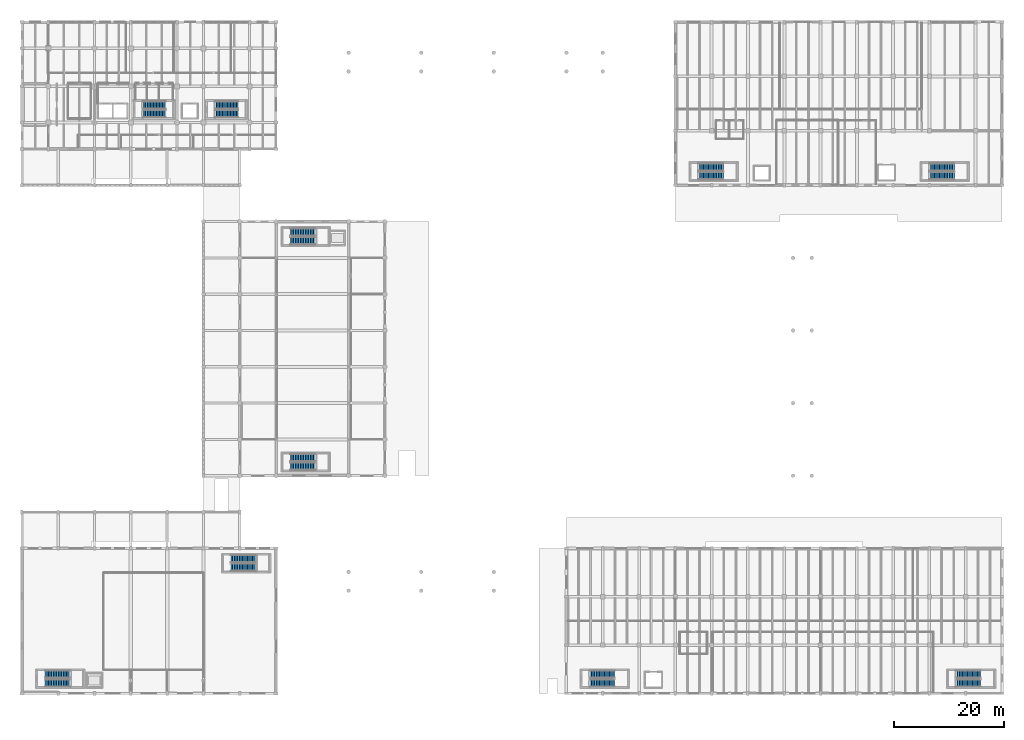
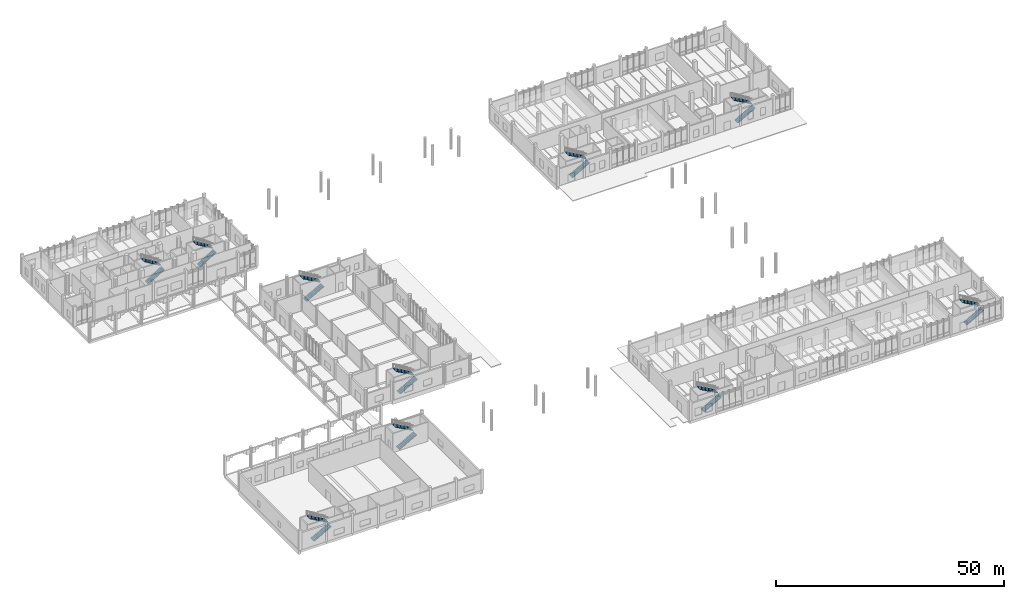
# One storey, part 56 of 72: 20 stair flights, 10 elements without a shape of their own.
"""IFC4 building model written with IfcOpenShell, lengths in metres."""

import ifcopenshell
import ifcopenshell.guid

model = None  # the IFC model being written
_history = None  # IfcOwnerHistory: only IFC2X3 demands one
_inside = {}  # id of a spatial element -> (the spatial element, [elements in it])
_under = {}  # id of a project, library or spatial element -> (it, [spatial elements below it])
_declared = {}  # id of a project -> (the project, [libraries it declares])
_typed = {}  # id of a type object -> (the type object, [elements of that type])
_made_of = {}  # id of a material, layer set ... -> (it, [elements and type objects made of it])


def new_model(schema):
    """Start an empty IFC model of exactly this schema.

    Asked for "IFC4X3", IfcOpenShell would pick the latest addendum, in which some entities
    have other attributes; the version numbers below select the first issue.
    IFC2X3 requires an IfcOwnerHistory on every rooted entity: one is made here for all.
    """
    global model, _history
    if schema == "IFC4X3":
        model = ifcopenshell.file(schema_version=(4, 3, 0, 0))
    else:
        model = ifcopenshell.file(schema=schema)
    _inside.clear()
    _under.clear()
    _declared.clear()
    _typed.clear()
    _made_of.clear()
    _history = None
    if model.schema == "IFC2X3":
        org = make("IfcOrganization", Name="unknown")
        user = make(
            "IfcPersonAndOrganization",
            ThePerson=make("IfcPerson", FamilyName="unknown"),
            TheOrganization=org,
        )
        app = make(
            "IfcApplication",
            ApplicationDeveloper=org,
            Version="unknown",
            ApplicationFullName="unknown",
            ApplicationIdentifier="unknown",
        )
        _history = make(
            "IfcOwnerHistory",
            OwningUser=user,
            OwningApplication=app,
            ChangeAction="ADDED",
            CreationDate=0,
        )
    return model


def make(cls, **values):
    """One entity of the class cls with the attributes given. An attribute that is None is left unset."""
    return model.create_entity(
        cls, **{name: value for name, value in values.items() if value is not None}
    )


def rooted(cls, **values):
    """An entity with a GlobalId (a new one), such as an element, a storey or a relation."""
    return make(cls, GlobalId=ifcopenshell.guid.new(), OwnerHistory=_history, **values)


def si_unit(unit_type, name, prefix=None):
    """IfcSIUnit, for example si_unit("LENGTHUNIT", "METRE", prefix="MILLI")."""
    return make("IfcSIUnit", UnitType=unit_type, Prefix=prefix, Name=name)


def assignment(units):
    """IfcUnitAssignment: the units of a project."""
    return None if units is None else make("IfcUnitAssignment", Units=units)


def point(xyz):
    """IfcCartesianPoint."""
    return None if xyz is None else make("IfcCartesianPoint", Coordinates=xyz)


def direction(xyz):
    """IfcDirection."""
    return None if xyz is None else make("IfcDirection", DirectionRatios=xyz)


def frame(location, z_axis=None, x_axis=None):
    """IfcAxis2Placement3D, a coordinate frame: its origin and axes. An axis left out is left unset."""
    return make(
        "IfcAxis2Placement3D",
        Location=point(location),
        Axis=direction(z_axis),
        RefDirection=direction(x_axis),
    )


def origin():
    """The frame at (0, 0, 0) with its axes left unset."""
    return frame((0.0, 0.0, 0.0))


def place(relative_to, where):
    """IfcLocalPlacement: puts the frame where relative to a parent placement (None: the world)."""
    return make(
        "IfcLocalPlacement", PlacementRelTo=relative_to, RelativePlacement=where
    )


def context(
    kind, dimensions, precision=None, world=None, true_north=None, identifier=None
):
    """IfcGeometricRepresentationContext, for example the 3D "Model" context."""
    return make(
        "IfcGeometricRepresentationContext",
        ContextIdentifier=identifier,
        ContextType=kind,
        CoordinateSpaceDimension=dimensions,
        Precision=precision,
        WorldCoordinateSystem=world,
        TrueNorth=true_north,
    )


def subcontext(parent, identifier, kind, view, scale=None):
    """IfcGeometricRepresentationSubContext, for example "Body" below "Model"."""
    return make(
        "IfcGeometricRepresentationSubContext",
        ContextIdentifier=identifier,
        ContextType=kind,
        ParentContext=parent,
        TargetScale=scale,
        TargetView=view,
    )


def project(units=None, contexts=None):
    """IfcProject with its units and contexts."""
    return rooted(
        "IfcProject",
        Name="project",
        RepresentationContexts=contexts,
        UnitsInContext=assignment(units),
    )


def spatial(cls, under=None, at=None, **own):
    """A site, building, storey or space (cls), placed at a placement, below another one or the project."""
    s = rooted(cls, ObjectPlacement=at, **own)
    if under is not None:
        _under.setdefault(under.id(), (under, []))[1].append(s)
    return s


def polyline(points):
    """IfcPolyline through the points."""
    return make("IfcPolyline", Points=[point(p) for p in points])


def outline(outer, holes=None, kind="AREA"):
    """IfcArbitraryClosedProfileDef: a profile drawn as a closed curve; with holes, ...WithVoids."""
    if holes is None:
        return make("IfcArbitraryClosedProfileDef", ProfileType=kind, OuterCurve=outer)
    return make(
        "IfcArbitraryProfileDefWithVoids",
        ProfileType=kind,
        OuterCurve=outer,
        InnerCurves=holes,
    )


def extrude(swept, where, along, depth):
    """IfcExtrudedAreaSolid: the profile swept, set in the frame where, extruded along a direction by depth."""
    return make(
        "IfcExtrudedAreaSolid",
        SweptArea=swept,
        Position=where,
        ExtrudedDirection=direction(along),
        Depth=depth,
    )


def shape(context_of_items, identifier, shape_type, items):
    """IfcShapeRepresentation: the items that make up one representation, for example the "Body"."""
    return make(
        "IfcShapeRepresentation",
        ContextOfItems=context_of_items,
        RepresentationIdentifier=identifier,
        RepresentationType=shape_type,
        Items=items,
    )


def material(Name=None, Category=None):
    """IfcMaterial."""
    return make("IfcMaterial", Name=Name, Category=Category)


def made_of(thing, what):
    """Note that an element or type object is made of a material, layer set ...; save() writes the relation."""
    if what is not None:
        _made_of.setdefault(what.id(), (what, []))[1].append(thing)
    return thing


def type_object(cls, material=None, **own):
    """A type object (cls), such as IfcWallType, which elements share."""
    return made_of(rooted(cls, **own), material)


def element(
    cls,
    number,
    at=None,
    inside=None,
    cuts=None,
    type_object=None,
    material=None,
    context=None,
    identifier="Body",
    shape_type=None,
    held_by="IfcProductDefinitionShape",
    body=None,
    shapes=None,
    **own,
):
    """One element of the class cls, such as IfcWall. Its Tag is "e" and its number.

    at: its placement. inside: the storey or other place that contains it. cuts: it is an
    opening in that element (IfcRelVoidsElement). A single representation is given by context,
    identifier, shape_type and body (its items); several are given by shapes. held_by: the class
    of the entity that holds the representations. save() writes the other relations.
    """
    e = rooted(cls, Tag="e%d" % number, ObjectPlacement=at, **own)
    if body is not None:
        shapes = [shape(context, identifier, shape_type, body)]
    if shapes is not None:
        e.Representation = make(held_by, Representations=shapes)
    if inside is not None:
        _inside.setdefault(inside.id(), (inside, []))[1].append(e)
    if cuts is not None:
        rooted(
            "IfcRelVoidsElement", RelatingBuildingElement=cuts, RelatedOpeningElement=e
        )
    if type_object is not None:
        _typed.setdefault(type_object.id(), (type_object, []))[1].append(e)
    return made_of(e, material)


def aggregate(whole, parts):
    """IfcRelAggregates: a whole, such as a stair, and the parts it consists of."""
    return rooted("IfcRelAggregates", RelatingObject=whole, RelatedObjects=parts)


def save(model, path):
    """Write the relations noted so far, then the file.

    IfcRelAggregates (storeys below a building ...), IfcRelContainedInSpatialStructure (elements
    in a storey), IfcRelDefinesByType, IfcRelAssociatesMaterial and IfcRelDeclares: one each for
    every whole, place, type object, material and project.
    """
    for whole, parts in _under.values():
        aggregate(whole, parts)
    for where, things in _inside.values():
        rooted(
            "IfcRelContainedInSpatialStructure",
            RelatedElements=things,
            RelatingStructure=where,
        )
    for kind, things in _typed.values():
        rooted("IfcRelDefinesByType", RelatedObjects=things, RelatingType=kind)
    for what, things in _made_of.values():
        rooted("IfcRelAssociatesMaterial", RelatedObjects=things, RelatingMaterial=what)
    for by, libraries in _declared.values():
        rooted("IfcRelDeclares", RelatingContext=by, RelatedDefinitions=libraries)
    model.write(path)


model = new_model("IFC4")

# Units and contexts
model_context = context("Model", 3, precision=1e-05, world=origin(), true_north=direction((0.0, 1.0)))
body_context = subcontext(model_context, "Body", "Model", "MODEL_VIEW")
ifc_project = project(units=[si_unit("LENGTHUNIT", "METRE"), si_unit("AREAUNIT", "SQUARE_METRE"), si_unit("VOLUMEUNIT", "CUBIC_METRE"), si_unit("PLANEANGLEUNIT", "RADIAN"), si_unit("MASSUNIT", "GRAM", prefix="KILO")], contexts=[model_context])

# Site, building, storey
site_placement = place(None, origin())
site = spatial("IfcSite", under=ifc_project, at=site_placement, CompositionType="ELEMENT")
building_placement = place(site_placement, origin())
building = spatial("IfcBuilding", under=site, at=building_placement, Name="Dornvale Research Institute", CompositionType="ELEMENT")
storey_placement = place(building_placement, origin())
storey = spatial("IfcBuildingStorey", under=building, at=storey_placement, Name="L00", CompositionType="ELEMENT", Elevation=0.0)

# Stair, stair flights
ifc_material_1 = material(Name="Concrete f'c 45 MPa (C35/45)", Category="concrete")
stair_type_1 = type_object("IfcStairType", Name="HalfTurnStair_RC", PredefinedType="HALF_TURN_STAIR", material=ifc_material_1)
stair_1_placement = place(storey_placement, origin())
stair_1 = element("IfcStair", 1, at=stair_1_placement, inside=storey, type_object=stair_type_1, Name="L00 Exit stair ST-1", PredefinedType="HALF_TURN_STAIR")
ifc_material_2 = material(Name="Concrete f'c 45 MPa (C35/45)", Category="concrete")
stair_flight_type_1 = type_object("IfcStairFlightType", Name="StraightFlight_RC150", PredefinedType="STRAIGHT", material=ifc_material_2)
stair_flight_1_placement = place(storey_placement, frame((21.949951171875, 105.39990234375, 0.0), z_axis=(0.0, 0.0, 1.0), x_axis=(1.0, 0.0, 0.0)))
stair_flight_1 = element("IfcStairFlight", 2, at=stair_flight_1_placement, type_object=stair_flight_type_1, Name="ST-1 flight 1", NumberOfRisers=16, NumberOfTreads=15, PredefinedType="STRAIGHT", RiserHeight=0.16875, TreadLength=0.28, context=body_context, shape_type="SweptSolid", body=[
    extrude(outline(polyline([(0.0, 0.0), (0.0, 0.168701171875), (0.280029296875, 0.168701171875), (0.280029296875, 0.33740234375), (0.56005859375, 0.33740234375), (0.56005859375, 0.50634765625), (0.840087890625, 0.50634765625), (0.840087890625, 0.675048828125), (1.1201171875, 0.675048828125), (1.1201171875, 0.84375), (1.39990234375, 0.84375), (1.39990234375, 1.012451171875), (1.679931640625, 1.012451171875), (1.679931640625, 1.18115234375), (1.9599609375, 1.18115234375), (1.9599609375, 1.35009765625), (2.239990234375, 1.35009765625), (2.239990234375, 1.518798828125), (2.52001953125, 1.518798828125), (2.52001953125, 1.6875), (2.800048828125, 1.6875), (2.800048828125, 1.856201171875), (3.080078125, 1.856201171875), (3.080078125, 2.02490234375), (3.360107421875, 2.02490234375), (3.360107421875, 2.19384765625), (3.639892578125, 2.19384765625), (3.639892578125, 2.362548828125), (3.919921875, 2.362548828125), (3.919921875, 2.53125), (4.199951171875, 2.53125), (4.199951171875, 2.699951171875), (4.199951171875, 2.356201171875), (0.29052734375, 0.0), (0.0, 0.0)])), frame((0.0, 0.699951171875, 0.0), z_axis=(0.0, -1.0, 0.0), x_axis=(1.0, 0.0, 0.0)), (0.0, 0.0, 1.0), 1.39990234375),
])
stair_flight_2_placement = place(storey_placement, frame((26.14990234375, 106.9599609375, 2.699951171875), z_axis=(0.0, 0.0, 1.0), x_axis=(-1.0, 0.0, 0.0)))
stair_flight_2 = element("IfcStairFlight", 3, at=stair_flight_2_placement, type_object=stair_flight_type_1, Name="ST-1 flight 2", NumberOfRisers=16, NumberOfTreads=15, PredefinedType="STRAIGHT", RiserHeight=0.16875, TreadLength=0.28, context=body_context, shape_type="SweptSolid", body=[
    extrude(outline(polyline([(0.0, 0.0), (0.0, 0.168701171875), (0.280029296875, 0.168701171875), (0.280029296875, 0.33740234375), (0.56005859375, 0.33740234375), (0.56005859375, 0.50634765625), (0.840087890625, 0.50634765625), (0.840087890625, 0.675048828125), (1.1201171875, 0.675048828125), (1.1201171875, 0.84375), (1.39990234375, 0.84375), (1.39990234375, 1.012451171875), (1.679931640625, 1.012451171875), (1.679931640625, 1.18115234375), (1.9599609375, 1.18115234375), (1.9599609375, 1.35009765625), (2.239990234375, 1.35009765625), (2.239990234375, 1.518798828125), (2.52001953125, 1.518798828125), (2.52001953125, 1.6875), (2.800048828125, 1.6875), (2.800048828125, 1.856201171875), (3.080078125, 1.856201171875), (3.080078125, 2.02490234375), (3.360107421875, 2.02490234375), (3.360107421875, 2.19384765625), (3.639892578125, 2.19384765625), (3.639892578125, 2.362548828125), (3.919921875, 2.362548828125), (3.919921875, 2.53125), (4.199951171875, 2.53125), (4.199951171875, 2.699951171875), (4.199951171875, 2.356201171875), (0.29052734375, 0.0), (0.0, 0.0)])), frame((0.0, 0.699951171875, 0.0), z_axis=(0.0, -1.0, 0.0), x_axis=(1.0, 0.0, 0.0)), (0.0, 0.0, 1.0), 1.39990234375),
])
aggregate(stair_1, [stair_flight_1, stair_flight_2])

stair_2_placement = place(storey_placement, origin())
stair_2 = element("IfcStair", 4, at=stair_2_placement, inside=storey, type_object=stair_type_1, Name="L00 Exit stair ST-2", PredefinedType="HALF_TURN_STAIR")
stair_flight_3_placement = place(storey_placement, frame((35.10009765625, 105.39990234375, 0.0), z_axis=(0.0, 0.0, 1.0), x_axis=(1.0, 0.0, 0.0)))
stair_flight_3 = element("IfcStairFlight", 5, at=stair_flight_3_placement, type_object=stair_flight_type_1, Name="ST-2 flight 1", NumberOfRisers=16, NumberOfTreads=15, PredefinedType="STRAIGHT", RiserHeight=0.16875, TreadLength=0.28, context=body_context, shape_type="SweptSolid", body=[
    extrude(outline(polyline([(0.0, 0.0), (0.0, 0.168701171875), (0.280029296875, 0.168701171875), (0.280029296875, 0.33740234375), (0.56005859375, 0.33740234375), (0.56005859375, 0.50634765625), (0.840087890625, 0.50634765625), (0.840087890625, 0.675048828125), (1.1201171875, 0.675048828125), (1.1201171875, 0.84375), (1.39990234375, 0.84375), (1.39990234375, 1.012451171875), (1.679931640625, 1.012451171875), (1.679931640625, 1.18115234375), (1.9599609375, 1.18115234375), (1.9599609375, 1.35009765625), (2.239990234375, 1.35009765625), (2.239990234375, 1.518798828125), (2.52001953125, 1.518798828125), (2.52001953125, 1.6875), (2.800048828125, 1.6875), (2.800048828125, 1.856201171875), (3.080078125, 1.856201171875), (3.080078125, 2.02490234375), (3.360107421875, 2.02490234375), (3.360107421875, 2.19384765625), (3.639892578125, 2.19384765625), (3.639892578125, 2.362548828125), (3.919921875, 2.362548828125), (3.919921875, 2.53125), (4.199951171875, 2.53125), (4.199951171875, 2.699951171875), (4.199951171875, 2.356201171875), (0.29052734375, 0.0), (0.0, 0.0)])), frame((0.0, 0.699951171875, 0.0), z_axis=(0.0, -1.0, 0.0), x_axis=(1.0, 0.0, 0.0)), (0.0, 0.0, 1.0), 1.39990234375),
])
stair_flight_4_placement = place(storey_placement, frame((39.300048828125, 106.9599609375, 2.699951171875), z_axis=(0.0, 0.0, 1.0), x_axis=(-1.0, 0.0, 0.0)))
stair_flight_4 = element("IfcStairFlight", 6, at=stair_flight_4_placement, type_object=stair_flight_type_1, Name="ST-2 flight 2", NumberOfRisers=16, NumberOfTreads=15, PredefinedType="STRAIGHT", RiserHeight=0.16875, TreadLength=0.28, context=body_context, shape_type="SweptSolid", body=[
    extrude(outline(polyline([(0.0, 0.0), (0.0, 0.168701171875), (0.280029296875, 0.168701171875), (0.280029296875, 0.33740234375), (0.56005859375, 0.33740234375), (0.56005859375, 0.50634765625), (0.840087890625, 0.50634765625), (0.840087890625, 0.675048828125), (1.1201171875, 0.675048828125), (1.1201171875, 0.84375), (1.39990234375, 0.84375), (1.39990234375, 1.012451171875), (1.679931640625, 1.012451171875), (1.679931640625, 1.18115234375), (1.9599609375, 1.18115234375), (1.9599609375, 1.35009765625), (2.239990234375, 1.35009765625), (2.239990234375, 1.518798828125), (2.52001953125, 1.518798828125), (2.52001953125, 1.6875), (2.800048828125, 1.6875), (2.800048828125, 1.856201171875), (3.080078125, 1.856201171875), (3.080078125, 2.02490234375), (3.360107421875, 2.02490234375), (3.360107421875, 2.19384765625), (3.639892578125, 2.19384765625), (3.639892578125, 2.362548828125), (3.919921875, 2.362548828125), (3.919921875, 2.53125), (4.199951171875, 2.53125), (4.199951171875, 2.699951171875), (4.199951171875, 2.356201171875), (0.29052734375, 0.0), (0.0, 0.0)])), frame((0.0, 0.699951171875, 0.0), z_axis=(0.0, -1.0, 0.0), x_axis=(1.0, 0.0, 0.0)), (0.0, 0.0, 1.0), 1.39990234375),
])
aggregate(stair_2, [stair_flight_3, stair_flight_4])

stair_3_placement = place(storey_placement, origin())
stair_3 = element("IfcStair", 7, at=stair_3_placement, inside=storey, type_object=stair_type_1, Name="L00 Exit stair ST-3", PredefinedType="HALF_TURN_STAIR")
stair_flight_5_placement = place(storey_placement, frame((123.02001953125, 94.110107421875, 0.0), z_axis=(0.0, 0.0, 1.0), x_axis=(1.0, 0.0, 0.0)))
stair_flight_5 = element("IfcStairFlight", 8, at=stair_flight_5_placement, type_object=stair_flight_type_1, Name="ST-3 flight 1", NumberOfRisers=16, NumberOfTreads=15, PredefinedType="STRAIGHT", RiserHeight=0.16875, TreadLength=0.3, context=body_context, shape_type="SweptSolid", body=[
    extrude(outline(polyline([(0.0, 0.0), (0.0, 0.168701171875), (0.300048828125, 0.168701171875), (0.300048828125, 0.33740234375), (0.60009765625, 0.33740234375), (0.60009765625, 0.50634765625), (0.89990234375, 0.50634765625), (0.89990234375, 0.675048828125), (1.199951171875, 0.675048828125), (1.199951171875, 0.84375), (1.5, 0.84375), (1.5, 1.012451171875), (1.800048828125, 1.012451171875), (1.800048828125, 1.18115234375), (2.10009765625, 1.18115234375), (2.10009765625, 1.35009765625), (2.39990234375, 1.35009765625), (2.39990234375, 1.518798828125), (2.699951171875, 1.518798828125), (2.699951171875, 1.6875), (3.0, 1.6875), (3.0, 1.856201171875), (3.300048828125, 1.856201171875), (3.300048828125, 2.02490234375), (3.60009765625, 2.02490234375), (3.60009765625, 2.19384765625), (3.89990234375, 2.19384765625), (3.89990234375, 2.362548828125), (4.199951171875, 2.362548828125), (4.199951171875, 2.53125), (4.5, 2.53125), (4.5, 2.699951171875), (4.5, 2.359375), (0.3056640625, 0.0), (0.0, 0.0)])), frame((0.0, 0.7099609375, 0.0), z_axis=(0.0, -1.0, 0.0), x_axis=(1.0, 0.0, 0.0)), (0.0, 0.0, 1.0), 1.419921875),
])
stair_flight_6_placement = place(storey_placement, frame((127.52001953125, 95.68994140625, 2.699951171875), z_axis=(0.0, 0.0, 1.0), x_axis=(-1.0, 0.0, 0.0)))
stair_flight_6 = element("IfcStairFlight", 9, at=stair_flight_6_placement, type_object=stair_flight_type_1, Name="ST-3 flight 2", NumberOfRisers=16, NumberOfTreads=15, PredefinedType="STRAIGHT", RiserHeight=0.16875, TreadLength=0.3, context=body_context, shape_type="SweptSolid", body=[
    extrude(outline(polyline([(0.0, 0.0), (0.0, 0.168701171875), (0.300048828125, 0.168701171875), (0.300048828125, 0.33740234375), (0.60009765625, 0.33740234375), (0.60009765625, 0.50634765625), (0.89990234375, 0.50634765625), (0.89990234375, 0.675048828125), (1.199951171875, 0.675048828125), (1.199951171875, 0.84375), (1.5, 0.84375), (1.5, 1.012451171875), (1.800048828125, 1.012451171875), (1.800048828125, 1.18115234375), (2.10009765625, 1.18115234375), (2.10009765625, 1.35009765625), (2.39990234375, 1.35009765625), (2.39990234375, 1.518798828125), (2.699951171875, 1.518798828125), (2.699951171875, 1.6875), (3.0, 1.6875), (3.0, 1.856201171875), (3.300048828125, 1.856201171875), (3.300048828125, 2.02490234375), (3.60009765625, 2.02490234375), (3.60009765625, 2.19384765625), (3.89990234375, 2.19384765625), (3.89990234375, 2.362548828125), (4.199951171875, 2.362548828125), (4.199951171875, 2.53125), (4.5, 2.53125), (4.5, 2.699951171875), (4.5, 2.359375), (0.3056640625, 0.0), (0.0, 0.0)])), frame((0.0, 0.7099609375, 0.0), z_axis=(0.0, -1.0, 0.0), x_axis=(1.0, 0.0, 0.0)), (0.0, 0.0, 1.0), 1.419921875),
])
aggregate(stair_3, [stair_flight_5, stair_flight_6])

stair_4_placement = place(storey_placement, origin())
stair_4 = element("IfcStair", 10, at=stair_4_placement, inside=storey, type_object=stair_type_1, Name="L00 Exit stair ST-4", PredefinedType="HALF_TURN_STAIR")
stair_flight_7_placement = place(storey_placement, frame((165.02001953125, 94.110107421875, 0.0), z_axis=(0.0, 0.0, 1.0), x_axis=(1.0, 0.0, 0.0)))
stair_flight_7 = element("IfcStairFlight", 11, at=stair_flight_7_placement, type_object=stair_flight_type_1, Name="ST-4 flight 1", NumberOfRisers=16, NumberOfTreads=15, PredefinedType="STRAIGHT", RiserHeight=0.16875, TreadLength=0.3, context=body_context, shape_type="SweptSolid", body=[
    extrude(outline(polyline([(0.0, 0.0), (0.0, 0.168701171875), (0.300048828125, 0.168701171875), (0.300048828125, 0.33740234375), (0.60009765625, 0.33740234375), (0.60009765625, 0.50634765625), (0.89990234375, 0.50634765625), (0.89990234375, 0.675048828125), (1.199951171875, 0.675048828125), (1.199951171875, 0.84375), (1.5, 0.84375), (1.5, 1.012451171875), (1.800048828125, 1.012451171875), (1.800048828125, 1.18115234375), (2.10009765625, 1.18115234375), (2.10009765625, 1.35009765625), (2.39990234375, 1.35009765625), (2.39990234375, 1.518798828125), (2.699951171875, 1.518798828125), (2.699951171875, 1.6875), (3.0, 1.6875), (3.0, 1.856201171875), (3.300048828125, 1.856201171875), (3.300048828125, 2.02490234375), (3.60009765625, 2.02490234375), (3.60009765625, 2.19384765625), (3.89990234375, 2.19384765625), (3.89990234375, 2.362548828125), (4.199951171875, 2.362548828125), (4.199951171875, 2.53125), (4.5, 2.53125), (4.5, 2.699951171875), (4.5, 2.359375), (0.3056640625, 0.0), (0.0, 0.0)])), frame((0.0, 0.7099609375, 0.0), z_axis=(0.0, -1.0, 0.0), x_axis=(1.0, 0.0, 0.0)), (0.0, 0.0, 1.0), 1.419921875),
])
stair_flight_8_placement = place(storey_placement, frame((169.52001953125, 95.68994140625, 2.699951171875), z_axis=(0.0, 0.0, 1.0), x_axis=(-1.0, 0.0, 0.0)))
stair_flight_8 = element("IfcStairFlight", 12, at=stair_flight_8_placement, type_object=stair_flight_type_1, Name="ST-4 flight 2", NumberOfRisers=16, NumberOfTreads=15, PredefinedType="STRAIGHT", RiserHeight=0.16875, TreadLength=0.3, context=body_context, shape_type="SweptSolid", body=[
    extrude(outline(polyline([(0.0, 0.0), (0.0, 0.168701171875), (0.300048828125, 0.168701171875), (0.300048828125, 0.33740234375), (0.60009765625, 0.33740234375), (0.60009765625, 0.50634765625), (0.89990234375, 0.50634765625), (0.89990234375, 0.675048828125), (1.199951171875, 0.675048828125), (1.199951171875, 0.84375), (1.5, 0.84375), (1.5, 1.012451171875), (1.800048828125, 1.012451171875), (1.800048828125, 1.18115234375), (2.10009765625, 1.18115234375), (2.10009765625, 1.35009765625), (2.39990234375, 1.35009765625), (2.39990234375, 1.518798828125), (2.699951171875, 1.518798828125), (2.699951171875, 1.6875), (3.0, 1.6875), (3.0, 1.856201171875), (3.300048828125, 1.856201171875), (3.300048828125, 2.02490234375), (3.60009765625, 2.02490234375), (3.60009765625, 2.19384765625), (3.89990234375, 2.19384765625), (3.89990234375, 2.362548828125), (4.199951171875, 2.362548828125), (4.199951171875, 2.53125), (4.5, 2.53125), (4.5, 2.699951171875), (4.5, 2.359375), (0.3056640625, 0.0), (0.0, 0.0)])), frame((0.0, 0.7099609375, 0.0), z_axis=(0.0, -1.0, 0.0), x_axis=(1.0, 0.0, 0.0)), (0.0, 0.0, 1.0), 1.419921875),
])
aggregate(stair_4, [stair_flight_7, stair_flight_8])

stair_5_placement = place(storey_placement, origin())
stair_5 = element("IfcStair", 13, at=stair_5_placement, inside=storey, type_object=stair_type_1, Name="L00 Exit stair ST-5", PredefinedType="HALF_TURN_STAIR")
stair_flight_9_placement = place(storey_placement, frame((103.219970703125, 1.909912109375, 0.0), z_axis=(0.0, 0.0, 1.0), x_axis=(1.0, 0.0, 0.0)))
stair_flight_9 = element("IfcStairFlight", 14, at=stair_flight_9_placement, type_object=stair_flight_type_1, Name="ST-5 flight 1", NumberOfRisers=16, NumberOfTreads=15, PredefinedType="STRAIGHT", RiserHeight=0.16875, TreadLength=0.3, context=body_context, shape_type="SweptSolid", body=[
    extrude(outline(polyline([(0.0, 0.0), (0.0, 0.168701171875), (0.300048828125, 0.168701171875), (0.300048828125, 0.33740234375), (0.60009765625, 0.33740234375), (0.60009765625, 0.50634765625), (0.89990234375, 0.50634765625), (0.89990234375, 0.675048828125), (1.199951171875, 0.675048828125), (1.199951171875, 0.84375), (1.5, 0.84375), (1.5, 1.012451171875), (1.800048828125, 1.012451171875), (1.800048828125, 1.18115234375), (2.10009765625, 1.18115234375), (2.10009765625, 1.35009765625), (2.39990234375, 1.35009765625), (2.39990234375, 1.518798828125), (2.699951171875, 1.518798828125), (2.699951171875, 1.6875), (3.0, 1.6875), (3.0, 1.856201171875), (3.300048828125, 1.856201171875), (3.300048828125, 2.02490234375), (3.60009765625, 2.02490234375), (3.60009765625, 2.19384765625), (3.89990234375, 2.19384765625), (3.89990234375, 2.362548828125), (4.199951171875, 2.362548828125), (4.199951171875, 2.53125), (4.5, 2.53125), (4.5, 2.699951171875), (4.5, 2.359375), (0.3056640625, 0.0), (0.0, 0.0)])), frame((0.0, 0.7099609375, 0.0), z_axis=(0.0, -1.0, 0.0), x_axis=(1.0, 0.0, 0.0)), (0.0, 0.0, 1.0), 1.419921875),
])
stair_flight_10_placement = place(storey_placement, frame((107.719970703125, 3.489990234375, 2.699951171875), z_axis=(0.0, 0.0, 1.0), x_axis=(-1.0, 0.0, 0.0)))
stair_flight_10 = element("IfcStairFlight", 15, at=stair_flight_10_placement, type_object=stair_flight_type_1, Name="ST-5 flight 2", NumberOfRisers=16, NumberOfTreads=15, PredefinedType="STRAIGHT", RiserHeight=0.16875, TreadLength=0.3, context=body_context, shape_type="SweptSolid", body=[
    extrude(outline(polyline([(0.0, 0.0), (0.0, 0.168701171875), (0.300048828125, 0.168701171875), (0.300048828125, 0.33740234375), (0.60009765625, 0.33740234375), (0.60009765625, 0.50634765625), (0.89990234375, 0.50634765625), (0.89990234375, 0.675048828125), (1.199951171875, 0.675048828125), (1.199951171875, 0.84375), (1.5, 0.84375), (1.5, 1.012451171875), (1.800048828125, 1.012451171875), (1.800048828125, 1.18115234375), (2.10009765625, 1.18115234375), (2.10009765625, 1.35009765625), (2.39990234375, 1.35009765625), (2.39990234375, 1.518798828125), (2.699951171875, 1.518798828125), (2.699951171875, 1.6875), (3.0, 1.6875), (3.0, 1.856201171875), (3.300048828125, 1.856201171875), (3.300048828125, 2.02490234375), (3.60009765625, 2.02490234375), (3.60009765625, 2.19384765625), (3.89990234375, 2.19384765625), (3.89990234375, 2.362548828125), (4.199951171875, 2.362548828125), (4.199951171875, 2.53125), (4.5, 2.53125), (4.5, 2.699951171875), (4.5, 2.359375), (0.3056640625, 0.0), (0.0, 0.0)])), frame((0.0, 0.7099609375, 0.0), z_axis=(0.0, -1.0, 0.0), x_axis=(1.0, 0.0, 0.0)), (0.0, 0.0, 1.0), 1.419921875),
])
aggregate(stair_5, [stair_flight_9, stair_flight_10])

stair_6_placement = place(storey_placement, origin())
stair_6 = element("IfcStair", 16, at=stair_6_placement, inside=storey, type_object=stair_type_1, Name="L00 Exit stair ST-6", PredefinedType="HALF_TURN_STAIR")
stair_flight_11_placement = place(storey_placement, frame((169.820068359375, 1.909912109375, 0.0), z_axis=(0.0, 0.0, 1.0), x_axis=(1.0, 0.0, 0.0)))
stair_flight_11 = element("IfcStairFlight", 17, at=stair_flight_11_placement, type_object=stair_flight_type_1, Name="ST-6 flight 1", NumberOfRisers=16, NumberOfTreads=15, PredefinedType="STRAIGHT", RiserHeight=0.16875, TreadLength=0.3, context=body_context, shape_type="SweptSolid", body=[
    extrude(outline(polyline([(0.0, 0.0), (0.0, 0.168701171875), (0.300048828125, 0.168701171875), (0.300048828125, 0.33740234375), (0.60009765625, 0.33740234375), (0.60009765625, 0.50634765625), (0.89990234375, 0.50634765625), (0.89990234375, 0.675048828125), (1.199951171875, 0.675048828125), (1.199951171875, 0.84375), (1.5, 0.84375), (1.5, 1.012451171875), (1.800048828125, 1.012451171875), (1.800048828125, 1.18115234375), (2.10009765625, 1.18115234375), (2.10009765625, 1.35009765625), (2.39990234375, 1.35009765625), (2.39990234375, 1.518798828125), (2.699951171875, 1.518798828125), (2.699951171875, 1.6875), (3.0, 1.6875), (3.0, 1.856201171875), (3.300048828125, 1.856201171875), (3.300048828125, 2.02490234375), (3.60009765625, 2.02490234375), (3.60009765625, 2.19384765625), (3.89990234375, 2.19384765625), (3.89990234375, 2.362548828125), (4.199951171875, 2.362548828125), (4.199951171875, 2.53125), (4.5, 2.53125), (4.5, 2.699951171875), (4.5, 2.359375), (0.3056640625, 0.0), (0.0, 0.0)])), frame((0.0, 0.7099609375, 0.0), z_axis=(0.0, -1.0, 0.0), x_axis=(1.0, 0.0, 0.0)), (0.0, 0.0, 1.0), 1.419921875),
])
stair_flight_12_placement = place(storey_placement, frame((174.320068359375, 3.489990234375, 2.699951171875), z_axis=(0.0, 0.0, 1.0), x_axis=(-1.0, 0.0, 0.0)))
stair_flight_12 = element("IfcStairFlight", 18, at=stair_flight_12_placement, type_object=stair_flight_type_1, Name="ST-6 flight 2", NumberOfRisers=16, NumberOfTreads=15, PredefinedType="STRAIGHT", RiserHeight=0.16875, TreadLength=0.3, context=body_context, shape_type="SweptSolid", body=[
    extrude(outline(polyline([(0.0, 0.0), (0.0, 0.168701171875), (0.300048828125, 0.168701171875), (0.300048828125, 0.33740234375), (0.60009765625, 0.33740234375), (0.60009765625, 0.50634765625), (0.89990234375, 0.50634765625), (0.89990234375, 0.675048828125), (1.199951171875, 0.675048828125), (1.199951171875, 0.84375), (1.5, 0.84375), (1.5, 1.012451171875), (1.800048828125, 1.012451171875), (1.800048828125, 1.18115234375), (2.10009765625, 1.18115234375), (2.10009765625, 1.35009765625), (2.39990234375, 1.35009765625), (2.39990234375, 1.518798828125), (2.699951171875, 1.518798828125), (2.699951171875, 1.6875), (3.0, 1.6875), (3.0, 1.856201171875), (3.300048828125, 1.856201171875), (3.300048828125, 2.02490234375), (3.60009765625, 2.02490234375), (3.60009765625, 2.19384765625), (3.89990234375, 2.19384765625), (3.89990234375, 2.362548828125), (4.199951171875, 2.362548828125), (4.199951171875, 2.53125), (4.5, 2.53125), (4.5, 2.699951171875), (4.5, 2.359375), (0.3056640625, 0.0), (0.0, 0.0)])), frame((0.0, 0.7099609375, 0.0), z_axis=(0.0, -1.0, 0.0), x_axis=(1.0, 0.0, 0.0)), (0.0, 0.0, 1.0), 1.419921875),
])
aggregate(stair_6, [stair_flight_11, stair_flight_12])

ifc_material_3 = material(Name="Concrete f'c 45 MPa (C35/45)", Category="concrete")
stair_type_2 = type_object("IfcStairType", Name="HalfTurnStair_RC_Secondary", PredefinedType="HALF_TURN_STAIR", material=ifc_material_3)
stair_7_placement = place(storey_placement, origin())
stair_7 = element("IfcStair", 19, at=stair_7_placement, inside=storey, type_object=stair_type_2, Name="L00 Exit stair ST-7", PredefinedType="HALF_TURN_STAIR")
ifc_material_4 = material(Name="Concrete f'c 45 MPa (C35/45)", Category="concrete")
stair_flight_type_2 = type_object("IfcStairFlightType", Name="StraightFlight_RC160", PredefinedType="STRAIGHT", material=ifc_material_4)
stair_flight_13_placement = place(storey_placement, frame((48.820068359375, 41.31005859375, 0.0), z_axis=(0.0, 0.0, 1.0), x_axis=(1.0, 0.0, 0.0)))
stair_flight_13 = element("IfcStairFlight", 20, at=stair_flight_13_placement, type_object=stair_flight_type_2, Name="ST-7 flight 1", NumberOfRisers=16, NumberOfTreads=15, PredefinedType="STRAIGHT", RiserHeight=0.16875, TreadLength=0.3, context=body_context, shape_type="SweptSolid", body=[
    extrude(outline(polyline([(0.0, 0.0), (0.0, 0.168701171875), (0.300048828125, 0.168701171875), (0.300048828125, 0.33740234375), (0.60009765625, 0.33740234375), (0.60009765625, 0.50634765625), (0.89990234375, 0.50634765625), (0.89990234375, 0.675048828125), (1.199951171875, 0.675048828125), (1.199951171875, 0.84375), (1.5, 0.84375), (1.5, 1.012451171875), (1.800048828125, 1.012451171875), (1.800048828125, 1.18115234375), (2.10009765625, 1.18115234375), (2.10009765625, 1.35009765625), (2.39990234375, 1.35009765625), (2.39990234375, 1.518798828125), (2.699951171875, 1.518798828125), (2.699951171875, 1.6875), (3.0, 1.6875), (3.0, 1.856201171875), (3.300048828125, 1.856201171875), (3.300048828125, 2.02490234375), (3.60009765625, 2.02490234375), (3.60009765625, 2.19384765625), (3.89990234375, 2.19384765625), (3.89990234375, 2.362548828125), (4.199951171875, 2.362548828125), (4.199951171875, 2.53125), (4.5, 2.53125), (4.5, 2.699951171875), (4.5, 2.34765625), (0.326171875, 0.0), (0.0, 0.0)])), frame((0.0, 0.7099609375, 0.0), z_axis=(0.0, -1.0, 0.0), x_axis=(1.0, 0.0, 0.0)), (0.0, 0.0, 1.0), 1.419921875),
])
stair_flight_14_placement = place(storey_placement, frame((53.320068359375, 42.889892578125, 2.699951171875), z_axis=(0.0, 0.0, 1.0), x_axis=(-1.0, 0.0, 0.0)))
stair_flight_14 = element("IfcStairFlight", 21, at=stair_flight_14_placement, type_object=stair_flight_type_2, Name="ST-7 flight 2", NumberOfRisers=16, NumberOfTreads=15, PredefinedType="STRAIGHT", RiserHeight=0.16875, TreadLength=0.3, context=body_context, shape_type="SweptSolid", body=[
    extrude(outline(polyline([(0.0, 0.0), (0.0, 0.168701171875), (0.300048828125, 0.168701171875), (0.300048828125, 0.33740234375), (0.60009765625, 0.33740234375), (0.60009765625, 0.50634765625), (0.89990234375, 0.50634765625), (0.89990234375, 0.675048828125), (1.199951171875, 0.675048828125), (1.199951171875, 0.84375), (1.5, 0.84375), (1.5, 1.012451171875), (1.800048828125, 1.012451171875), (1.800048828125, 1.18115234375), (2.10009765625, 1.18115234375), (2.10009765625, 1.35009765625), (2.39990234375, 1.35009765625), (2.39990234375, 1.518798828125), (2.699951171875, 1.518798828125), (2.699951171875, 1.6875), (3.0, 1.6875), (3.0, 1.856201171875), (3.300048828125, 1.856201171875), (3.300048828125, 2.02490234375), (3.60009765625, 2.02490234375), (3.60009765625, 2.19384765625), (3.89990234375, 2.19384765625), (3.89990234375, 2.362548828125), (4.199951171875, 2.362548828125), (4.199951171875, 2.53125), (4.5, 2.53125), (4.5, 2.699951171875), (4.5, 2.34765625), (0.326171875, 0.0), (0.0, 0.0)])), frame((0.0, 0.7099609375, 0.0), z_axis=(0.0, -1.0, 0.0), x_axis=(1.0, 0.0, 0.0)), (0.0, 0.0, 1.0), 1.419921875),
])
aggregate(stair_7, [stair_flight_13, stair_flight_14])

stair_8_placement = place(storey_placement, origin())
stair_8 = element("IfcStair", 22, at=stair_8_placement, inside=storey, type_object=stair_type_2, Name="L00 Exit stair ST-8", PredefinedType="HALF_TURN_STAIR")
stair_flight_15_placement = place(storey_placement, frame((48.820068359375, 82.31005859375, 0.0), z_axis=(0.0, 0.0, 1.0), x_axis=(1.0, 0.0, 0.0)))
stair_flight_15 = element("IfcStairFlight", 23, at=stair_flight_15_placement, type_object=stair_flight_type_2, Name="ST-8 flight 1", NumberOfRisers=16, NumberOfTreads=15, PredefinedType="STRAIGHT", RiserHeight=0.16875, TreadLength=0.3, context=body_context, shape_type="SweptSolid", body=[
    extrude(outline(polyline([(0.0, 0.0), (0.0, 0.168701171875), (0.300048828125, 0.168701171875), (0.300048828125, 0.33740234375), (0.60009765625, 0.33740234375), (0.60009765625, 0.50634765625), (0.89990234375, 0.50634765625), (0.89990234375, 0.675048828125), (1.199951171875, 0.675048828125), (1.199951171875, 0.84375), (1.5, 0.84375), (1.5, 1.012451171875), (1.800048828125, 1.012451171875), (1.800048828125, 1.18115234375), (2.10009765625, 1.18115234375), (2.10009765625, 1.35009765625), (2.39990234375, 1.35009765625), (2.39990234375, 1.518798828125), (2.699951171875, 1.518798828125), (2.699951171875, 1.6875), (3.0, 1.6875), (3.0, 1.856201171875), (3.300048828125, 1.856201171875), (3.300048828125, 2.02490234375), (3.60009765625, 2.02490234375), (3.60009765625, 2.19384765625), (3.89990234375, 2.19384765625), (3.89990234375, 2.362548828125), (4.199951171875, 2.362548828125), (4.199951171875, 2.53125), (4.5, 2.53125), (4.5, 2.699951171875), (4.5, 2.34765625), (0.326171875, 0.0), (0.0, 0.0)])), frame((0.0, 0.7099609375, 0.0), z_axis=(0.0, -1.0, 0.0), x_axis=(1.0, 0.0, 0.0)), (0.0, 0.0, 1.0), 1.419921875),
])
stair_flight_16_placement = place(storey_placement, frame((53.320068359375, 83.889892578125, 2.699951171875), z_axis=(0.0, 0.0, 1.0), x_axis=(-1.0, 0.0, 0.0)))
stair_flight_16 = element("IfcStairFlight", 24, at=stair_flight_16_placement, type_object=stair_flight_type_2, Name="ST-8 flight 2", NumberOfRisers=16, NumberOfTreads=15, PredefinedType="STRAIGHT", RiserHeight=0.16875, TreadLength=0.3, context=body_context, shape_type="SweptSolid", body=[
    extrude(outline(polyline([(0.0, 0.0), (0.0, 0.168701171875), (0.300048828125, 0.168701171875), (0.300048828125, 0.33740234375), (0.60009765625, 0.33740234375), (0.60009765625, 0.50634765625), (0.89990234375, 0.50634765625), (0.89990234375, 0.675048828125), (1.199951171875, 0.675048828125), (1.199951171875, 0.84375), (1.5, 0.84375), (1.5, 1.012451171875), (1.800048828125, 1.012451171875), (1.800048828125, 1.18115234375), (2.10009765625, 1.18115234375), (2.10009765625, 1.35009765625), (2.39990234375, 1.35009765625), (2.39990234375, 1.518798828125), (2.699951171875, 1.518798828125), (2.699951171875, 1.6875), (3.0, 1.6875), (3.0, 1.856201171875), (3.300048828125, 1.856201171875), (3.300048828125, 2.02490234375), (3.60009765625, 2.02490234375), (3.60009765625, 2.19384765625), (3.89990234375, 2.19384765625), (3.89990234375, 2.362548828125), (4.199951171875, 2.362548828125), (4.199951171875, 2.53125), (4.5, 2.53125), (4.5, 2.699951171875), (4.5, 2.34765625), (0.326171875, 0.0), (0.0, 0.0)])), frame((0.0, 0.7099609375, 0.0), z_axis=(0.0, -1.0, 0.0), x_axis=(1.0, 0.0, 0.0)), (0.0, 0.0, 1.0), 1.419921875),
])
aggregate(stair_8, [stair_flight_15, stair_flight_16])

stair_9_placement = place(storey_placement, origin())
stair_9 = element("IfcStair", 25, at=stair_9_placement, inside=storey, type_object=stair_type_2, Name="L00 Exit stair ST-9", PredefinedType="HALF_TURN_STAIR")
stair_flight_17_placement = place(storey_placement, frame((4.219970703125, 1.909912109375, 0.0), z_axis=(0.0, 0.0, 1.0), x_axis=(1.0, 0.0, 0.0)))
stair_flight_17 = element("IfcStairFlight", 26, at=stair_flight_17_placement, type_object=stair_flight_type_2, Name="ST-9 flight 1", NumberOfRisers=16, NumberOfTreads=15, PredefinedType="STRAIGHT", RiserHeight=0.16875, TreadLength=0.3, context=body_context, shape_type="SweptSolid", body=[
    extrude(outline(polyline([(0.0, 0.0), (0.0, 0.168701171875), (0.300048828125, 0.168701171875), (0.300048828125, 0.33740234375), (0.60009765625, 0.33740234375), (0.60009765625, 0.50634765625), (0.89990234375, 0.50634765625), (0.89990234375, 0.675048828125), (1.199951171875, 0.675048828125), (1.199951171875, 0.84375), (1.5, 0.84375), (1.5, 1.012451171875), (1.800048828125, 1.012451171875), (1.800048828125, 1.18115234375), (2.10009765625, 1.18115234375), (2.10009765625, 1.35009765625), (2.39990234375, 1.35009765625), (2.39990234375, 1.518798828125), (2.699951171875, 1.518798828125), (2.699951171875, 1.6875), (3.0, 1.6875), (3.0, 1.856201171875), (3.300048828125, 1.856201171875), (3.300048828125, 2.02490234375), (3.60009765625, 2.02490234375), (3.60009765625, 2.19384765625), (3.89990234375, 2.19384765625), (3.89990234375, 2.362548828125), (4.199951171875, 2.362548828125), (4.199951171875, 2.53125), (4.5, 2.53125), (4.5, 2.699951171875), (4.5, 2.34765625), (0.326171875, 0.0), (0.0, 0.0)])), frame((0.0, 0.7099609375, 0.0), z_axis=(0.0, -1.0, 0.0), x_axis=(1.0, 0.0, 0.0)), (0.0, 0.0, 1.0), 1.419921875),
])
stair_flight_18_placement = place(storey_placement, frame((8.719970703125, 3.489990234375, 2.699951171875), z_axis=(0.0, 0.0, 1.0), x_axis=(-1.0, 0.0, 0.0)))
stair_flight_18 = element("IfcStairFlight", 27, at=stair_flight_18_placement, type_object=stair_flight_type_2, Name="ST-9 flight 2", NumberOfRisers=16, NumberOfTreads=15, PredefinedType="STRAIGHT", RiserHeight=0.16875, TreadLength=0.3, context=body_context, shape_type="SweptSolid", body=[
    extrude(outline(polyline([(0.0, 0.0), (0.0, 0.168701171875), (0.300048828125, 0.168701171875), (0.300048828125, 0.33740234375), (0.60009765625, 0.33740234375), (0.60009765625, 0.50634765625), (0.89990234375, 0.50634765625), (0.89990234375, 0.675048828125), (1.199951171875, 0.675048828125), (1.199951171875, 0.84375), (1.5, 0.84375), (1.5, 1.012451171875), (1.800048828125, 1.012451171875), (1.800048828125, 1.18115234375), (2.10009765625, 1.18115234375), (2.10009765625, 1.35009765625), (2.39990234375, 1.35009765625), (2.39990234375, 1.518798828125), (2.699951171875, 1.518798828125), (2.699951171875, 1.6875), (3.0, 1.6875), (3.0, 1.856201171875), (3.300048828125, 1.856201171875), (3.300048828125, 2.02490234375), (3.60009765625, 2.02490234375), (3.60009765625, 2.19384765625), (3.89990234375, 2.19384765625), (3.89990234375, 2.362548828125), (4.199951171875, 2.362548828125), (4.199951171875, 2.53125), (4.5, 2.53125), (4.5, 2.699951171875), (4.5, 2.34765625), (0.326171875, 0.0), (0.0, 0.0)])), frame((0.0, 0.7099609375, 0.0), z_axis=(0.0, -1.0, 0.0), x_axis=(1.0, 0.0, 0.0)), (0.0, 0.0, 1.0), 1.419921875),
])
aggregate(stair_9, [stair_flight_17, stair_flight_18])

stair_10_placement = place(storey_placement, origin())
stair_10 = element("IfcStair", 28, at=stair_10_placement, inside=storey, type_object=stair_type_2, Name="L00 Exit stair ST-10", PredefinedType="HALF_TURN_STAIR")
stair_flight_19_placement = place(storey_placement, frame((38.02001953125, 22.909912109375, 0.0), z_axis=(0.0, 0.0, 1.0), x_axis=(1.0, 0.0, 0.0)))
stair_flight_19 = element("IfcStairFlight", 29, at=stair_flight_19_placement, type_object=stair_flight_type_2, Name="ST-10 flight 1", NumberOfRisers=16, NumberOfTreads=15, PredefinedType="STRAIGHT", RiserHeight=0.16875, TreadLength=0.3, context=body_context, shape_type="SweptSolid", body=[
    extrude(outline(polyline([(0.0, 0.0), (0.0, 0.168701171875), (0.300048828125, 0.168701171875), (0.300048828125, 0.33740234375), (0.60009765625, 0.33740234375), (0.60009765625, 0.50634765625), (0.89990234375, 0.50634765625), (0.89990234375, 0.675048828125), (1.199951171875, 0.675048828125), (1.199951171875, 0.84375), (1.5, 0.84375), (1.5, 1.012451171875), (1.800048828125, 1.012451171875), (1.800048828125, 1.18115234375), (2.10009765625, 1.18115234375), (2.10009765625, 1.35009765625), (2.39990234375, 1.35009765625), (2.39990234375, 1.518798828125), (2.699951171875, 1.518798828125), (2.699951171875, 1.6875), (3.0, 1.6875), (3.0, 1.856201171875), (3.300048828125, 1.856201171875), (3.300048828125, 2.02490234375), (3.60009765625, 2.02490234375), (3.60009765625, 2.19384765625), (3.89990234375, 2.19384765625), (3.89990234375, 2.362548828125), (4.199951171875, 2.362548828125), (4.199951171875, 2.53125), (4.5, 2.53125), (4.5, 2.699951171875), (4.5, 2.34765625), (0.326171875, 0.0), (0.0, 0.0)])), frame((0.0, 0.7099609375, 0.0), z_axis=(0.0, -1.0, 0.0), x_axis=(1.0, 0.0, 0.0)), (0.0, 0.0, 1.0), 1.419921875),
])
stair_flight_20_placement = place(storey_placement, frame((42.52001953125, 24.489990234375, 2.699951171875), z_axis=(0.0, 0.0, 1.0), x_axis=(-1.0, 0.0, 0.0)))
stair_flight_20 = element("IfcStairFlight", 30, at=stair_flight_20_placement, type_object=stair_flight_type_2, Name="ST-10 flight 2", NumberOfRisers=16, NumberOfTreads=15, PredefinedType="STRAIGHT", RiserHeight=0.16875, TreadLength=0.3, context=body_context, shape_type="SweptSolid", body=[
    extrude(outline(polyline([(0.0, 0.0), (0.0, 0.168701171875), (0.300048828125, 0.168701171875), (0.300048828125, 0.33740234375), (0.60009765625, 0.33740234375), (0.60009765625, 0.50634765625), (0.89990234375, 0.50634765625), (0.89990234375, 0.675048828125), (1.199951171875, 0.675048828125), (1.199951171875, 0.84375), (1.5, 0.84375), (1.5, 1.012451171875), (1.800048828125, 1.012451171875), (1.800048828125, 1.18115234375), (2.10009765625, 1.18115234375), (2.10009765625, 1.35009765625), (2.39990234375, 1.35009765625), (2.39990234375, 1.518798828125), (2.699951171875, 1.518798828125), (2.699951171875, 1.6875), (3.0, 1.6875), (3.0, 1.856201171875), (3.300048828125, 1.856201171875), (3.300048828125, 2.02490234375), (3.60009765625, 2.02490234375), (3.60009765625, 2.19384765625), (3.89990234375, 2.19384765625), (3.89990234375, 2.362548828125), (4.199951171875, 2.362548828125), (4.199951171875, 2.53125), (4.5, 2.53125), (4.5, 2.699951171875), (4.5, 2.34765625), (0.326171875, 0.0), (0.0, 0.0)])), frame((0.0, 0.7099609375, 0.0), z_axis=(0.0, -1.0, 0.0), x_axis=(1.0, 0.0, 0.0)), (0.0, 0.0, 1.0), 1.419921875),
])
aggregate(stair_10, [stair_flight_19, stair_flight_20])

save(model, "model.ifc")
